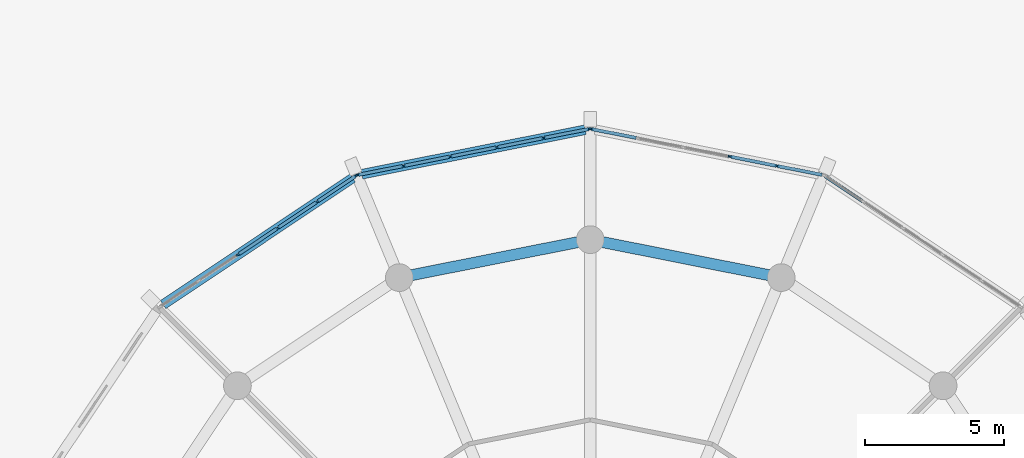
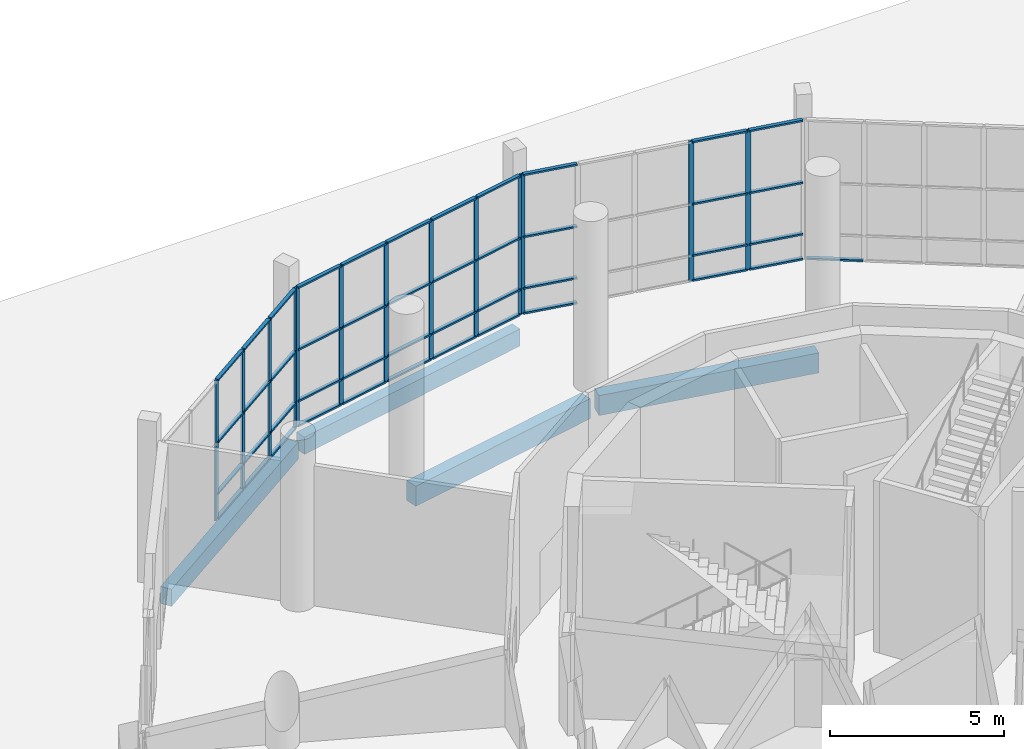
# One storey, part 114 of 226: 58 members, 4 beams, 4 elements without a shape of their own.
"""IFC4 building model written with IfcOpenShell, lengths in metres."""

from ifc_helpers import new_model, si_unit, direction, frame, origin, origin_2d, place, context, subcontext, project, spatial, rectangle, extrude, material, material_profile, profile_set, type_object, element, aggregate, save


model = new_model("IFC4")

# Units and contexts
model_context = context("Model", 3, precision=1e-05, world=origin(), true_north=direction((0.0, 1.0)))
body_context = subcontext(model_context, "Body", "Model", "MODEL_VIEW")
ifc_project = project(units=[si_unit("LENGTHUNIT", "METRE"), si_unit("AREAUNIT", "SQUARE_METRE"), si_unit("VOLUMEUNIT", "CUBIC_METRE"), si_unit("PLANEANGLEUNIT", "RADIAN"), si_unit("MASSUNIT", "GRAM", prefix="KILO")], contexts=[model_context])

# Site, building, storey
site_placement = place(None, origin())
site = spatial("IfcSite", under=ifc_project, at=site_placement, CompositionType="ELEMENT")
building_placement = place(site_placement, origin())
building = spatial("IfcBuilding", under=site, at=building_placement, Name="Ceibo Conservatory and Research Tower", CompositionType="ELEMENT")
storey_placement = place(building_placement, origin())
storey = spatial("IfcBuildingStorey", under=building, at=storey_placement, Name="L00", CompositionType="ELEMENT", Elevation=0.0)

# Curtain wall, members
ifc_material_1 = material(Name="Aluminium and glass", Category="aluminium")
curtain_wall_type = type_object("IfcCurtainWallType", Name="Curtain wall CW1", PredefinedType="NOTDEFINED", material=ifc_material_1)
curtain_wall_1_placement = place(storey_placement, origin())
curtain_wall_1 = element("IfcCurtainWall", 1, at=curtain_wall_1_placement, inside=storey, type_object=curtain_wall_type, Name="CW-00.04", PredefinedType="NOTDEFINED")
ifc_material_2 = material(Name="Aluminium", Category="aluminium")
ifc_material_profile_1 = material_profile(ifc_material_2, rectangle(XDim=0.06005859375, YDim=0.159912109375, at=origin_2d()), Name="Aluminium 60 x 160")
ifc_profile_set_1 = profile_set([ifc_material_profile_1], Name="Aluminium")
member_type_1 = type_object("IfcMemberType", Name="Aluminium mullion 60 x 160", PredefinedType="MULLION", material=ifc_profile_set_1)
member_1_placement = place(storey_placement, frame((54.735107421875, 140.660400390625, 0.0), z_axis=(0.0, 0.0, 1.0), x_axis=(-0.195090279221, -0.980785288916, 0.0)))
member_1 = element("IfcMember", 2, at=member_1_placement, type_object=member_type_1, Name="CW-00.04 mullion 2", PredefinedType="MULLION", context=body_context, shape_type="SweptSolid", body=[
    extrude(rectangle(XDim=0.06005859375, YDim=0.159912109375, at=origin_2d()), origin(), (0.0, 0.0, 1.0), 4.89990234375),
])
member_2_placement = place(storey_placement, frame((53.051513671875, 140.9951171875, 0.0), z_axis=(0.0, 0.0, 1.0), x_axis=(-0.195090279221, -0.980785288916, 0.0)))
member_2 = element("IfcMember", 3, at=member_2_placement, type_object=member_type_1, Name="CW-00.04 mullion 3", PredefinedType="MULLION", context=body_context, shape_type="SweptSolid", body=[
    extrude(rectangle(XDim=0.06005859375, YDim=0.159912109375, at=origin_2d()), origin(), (0.0, 0.0, 1.0), 4.89990234375),
])
member_3_placement = place(storey_placement, frame((48.029541015625, 141.994140625, 0.0), z_axis=(0.0, 0.0, 1.0), x_axis=(-0.195090279221, -0.980785288916, 0.0)))
member_3 = element("IfcMember", 4, at=member_3_placement, type_object=member_type_1, Name="CW-00.04 mullion 6", PredefinedType="MULLION", context=body_context, shape_type="SweptSolid", body=[
    extrude(rectangle(XDim=0.06005859375, YDim=0.159912109375, at=origin_2d()), origin(), (0.0, 0.0, 1.0), 4.89990234375),
])

curtain_wall_2_placement = place(storey_placement, origin())
curtain_wall_2 = element("IfcCurtainWall", 5, at=curtain_wall_2_placement, inside=storey, type_object=curtain_wall_type, Name="CW-00.05", PredefinedType="NOTDEFINED")
member_4_placement = place(storey_placement, frame((47.970458984375, 141.994140625, 0.0), z_axis=(0.0, 0.0, 1.0), x_axis=(0.195090279221, -0.980785288916, 0.0)))
member_4 = element("IfcMember", 6, at=member_4_placement, type_object=member_type_1, Name="CW-00.05 mullion 1", PredefinedType="MULLION", context=body_context, shape_type="SweptSolid", body=[
    extrude(rectangle(XDim=0.06005859375, YDim=0.159912109375, at=origin_2d()), origin(), (0.0, 0.0, 1.0), 4.89990234375),
])
member_5_placement = place(storey_placement, frame((46.316162109375, 141.6650390625, 0.0), z_axis=(0.0, 0.0, 1.0), x_axis=(0.195090279221, -0.980785288916, 0.0)))
member_5 = element("IfcMember", 7, at=member_5_placement, type_object=member_type_1, Name="CW-00.05 mullion 2", PredefinedType="MULLION", context=body_context, shape_type="SweptSolid", body=[
    extrude(rectangle(XDim=0.06005859375, YDim=0.159912109375, at=origin_2d()), origin(), (0.0, 0.0, 1.0), 4.89990234375),
])
member_6_placement = place(storey_placement, frame((44.63232421875, 141.330078125, 0.0), z_axis=(0.0, 0.0, 1.0), x_axis=(0.195090279221, -0.980785288916, 0.0)))
member_6 = element("IfcMember", 8, at=member_6_placement, type_object=member_type_1, Name="CW-00.05 mullion 3", PredefinedType="MULLION", context=body_context, shape_type="SweptSolid", body=[
    extrude(rectangle(XDim=0.06005859375, YDim=0.159912109375, at=origin_2d()), origin(), (0.0, 0.0, 1.0), 4.89990234375),
])
member_7_placement = place(storey_placement, frame((42.948486328125, 140.9951171875, 0.0), z_axis=(0.0, 0.0, 1.0), x_axis=(0.195090279221, -0.980785288916, 0.0)))
member_7 = element("IfcMember", 9, at=member_7_placement, type_object=member_type_1, Name="CW-00.05 mullion 4", PredefinedType="MULLION", context=body_context, shape_type="SweptSolid", body=[
    extrude(rectangle(XDim=0.06005859375, YDim=0.159912109375, at=origin_2d()), origin(), (0.0, 0.0, 1.0), 4.89990234375),
])
member_8_placement = place(storey_placement, frame((41.264892578125, 140.660400390625, 0.0), z_axis=(0.0, 0.0, 1.0), x_axis=(0.195090279221, -0.980785288916, 0.0)))
member_8 = element("IfcMember", 10, at=member_8_placement, type_object=member_type_1, Name="CW-00.05 mullion 5", PredefinedType="MULLION", context=body_context, shape_type="SweptSolid", body=[
    extrude(rectangle(XDim=0.06005859375, YDim=0.159912109375, at=origin_2d()), origin(), (0.0, 0.0, 1.0), 4.89990234375),
])
member_9_placement = place(storey_placement, frame((39.6103515625, 140.331298828125, 0.0), z_axis=(0.0, 0.0, 1.0), x_axis=(0.195090279221, -0.980785288916, 0.0)))
member_9 = element("IfcMember", 11, at=member_9_placement, type_object=member_type_1, Name="CW-00.05 mullion 6", PredefinedType="MULLION", context=body_context, shape_type="SweptSolid", body=[
    extrude(rectangle(XDim=0.06005859375, YDim=0.159912109375, at=origin_2d()), origin(), (0.0, 0.0, 1.0), 4.89990234375),
])

curtain_wall_3_placement = place(storey_placement, origin())
curtain_wall_3 = element("IfcCurtainWall", 12, at=curtain_wall_3_placement, inside=storey, type_object=curtain_wall_type, Name="CW-00.06", PredefinedType="NOTDEFINED")
member_10_placement = place(storey_placement, frame((39.555908203125, 140.30859375, 0.0), z_axis=(0.0, 0.0, 1.0), x_axis=(0.555570307219, -0.831469562724, 0.0)))
member_10 = element("IfcMember", 13, at=member_10_placement, type_object=member_type_1, Name="CW-00.06 mullion 1", PredefinedType="MULLION", context=body_context, shape_type="SweptSolid", body=[
    extrude(rectangle(XDim=0.06005859375, YDim=0.159912109375, at=origin_2d()), origin(), (0.0, 0.0, 1.0), 4.89990234375),
])
member_11_placement = place(storey_placement, frame((38.153564453125, 139.37158203125, 0.0), z_axis=(0.0, 0.0, 1.0), x_axis=(0.555570307219, -0.831469562724, 0.0)))
member_11 = element("IfcMember", 14, at=member_11_placement, type_object=member_type_1, Name="CW-00.06 mullion 2", PredefinedType="MULLION", context=body_context, shape_type="SweptSolid", body=[
    extrude(rectangle(XDim=0.06005859375, YDim=0.159912109375, at=origin_2d()), origin(), (0.0, 0.0, 1.0), 4.89990234375),
])
member_12_placement = place(storey_placement, frame((36.72607421875, 138.417724609375, 0.0), z_axis=(0.0, 0.0, 1.0), x_axis=(0.555570307219, -0.831469562724, 0.0)))
member_12 = element("IfcMember", 15, at=member_12_placement, type_object=member_type_1, Name="CW-00.06 mullion 3", PredefinedType="MULLION", context=body_context, shape_type="SweptSolid", body=[
    extrude(rectangle(XDim=0.06005859375, YDim=0.159912109375, at=origin_2d()), origin(), (0.0, 0.0, 1.0), 4.89990234375),
])
member_13_placement = place(storey_placement, frame((35.298583984375, 137.4638671875, 0.0), z_axis=(0.0, 0.0, 1.0), x_axis=(0.555570307219, -0.831469562724, 0.0)))
member_13 = element("IfcMember", 16, at=member_13_placement, type_object=member_type_1, Name="CW-00.06 mullion 4", PredefinedType="MULLION", context=body_context, shape_type="SweptSolid", body=[
    extrude(rectangle(XDim=0.06005859375, YDim=0.159912109375, at=origin_2d()), origin(), (0.0, 0.0, 1.0), 4.89990234375),
])

# Curtain wall, member
curtain_wall_4_placement = place(storey_placement, origin())
curtain_wall_4 = element("IfcCurtainWall", 17, at=curtain_wall_4_placement, inside=storey, type_object=curtain_wall_type, Name="CW-00.03", PredefinedType="NOTDEFINED")
ifc_material_profile_2 = material_profile(ifc_material_2, rectangle(XDim=0.1201171875, YDim=0.06005859375, at=origin_2d()), Name="Aluminium 60 x 120")
ifc_profile_set_2 = profile_set([ifc_material_profile_2], Name="Aluminium")
member_type_2 = type_object("IfcMemberType", Name="Aluminium transom 60 x 120", PredefinedType="USERDEFINED", material=ifc_profile_set_2)
member_14_placement = place(storey_placement, frame((57.821533203125, 139.38818359375, 0.030029296875), z_axis=(-0.831449482525, 0.555600358179, 0.0), x_axis=(-0.555600358179, -0.831449482525, 0.0)))
member_14 = element("IfcMember", 18, at=member_14_placement, type_object=member_type_2, Name="CW-00.03 transom 5.1", ObjectType="TRANSOM", PredefinedType="USERDEFINED", context=body_context, shape_type="SweptSolid", body=[
    extrude(rectangle(XDim=0.1201171875, YDim=0.06005859375, at=origin_2d()), origin(), (0.0, 0.0, 1.0), 1.626708984375),
])
aggregate(curtain_wall_4, [member_14])

# Member
member_15_placement = place(storey_placement, frame((56.360107421875, 140.337158203125, 0.030029296875), z_axis=(-0.980782188074, 0.195105867559, 0.0), x_axis=(-0.195105867559, -0.980782188074, 0.0)))
member_15 = element("IfcMember", 19, at=member_15_placement, type_object=member_type_2, Name="CW-00.04 transom 1.1", ObjectType="TRANSOM", PredefinedType="USERDEFINED", context=body_context, shape_type="SweptSolid", body=[
    extrude(rectangle(XDim=0.1201171875, YDim=0.06005859375, at=origin_2d()), origin(), (0.0, 0.0, 1.0), 1.626708984375),
])

member_16_placement = place(storey_placement, frame((56.360107421875, 140.337158203125, 0.89990234375), z_axis=(-0.980782188074, 0.195105867559, 0.0), x_axis=(-0.195105867559, -0.980782188074, 0.0)))
member_16 = element("IfcMember", 20, at=member_16_placement, type_object=member_type_2, Name="CW-00.04 transom 1.2", ObjectType="TRANSOM", PredefinedType="USERDEFINED", context=body_context, shape_type="SweptSolid", body=[
    extrude(rectangle(XDim=0.1201171875, YDim=0.06005859375, at=origin_2d()), origin(), (0.0, 0.0, 1.0), 1.626708984375),
])

member_17_placement = place(storey_placement, frame((56.360107421875, 140.337158203125, 2.699951171875), z_axis=(-0.980782188074, 0.195105867559, 0.0), x_axis=(-0.195105867559, -0.980782188074, 0.0)))
member_17 = element("IfcMember", 21, at=member_17_placement, type_object=member_type_2, Name="CW-00.04 transom 1.3", ObjectType="TRANSOM", PredefinedType="USERDEFINED", context=body_context, shape_type="SweptSolid", body=[
    extrude(rectangle(XDim=0.1201171875, YDim=0.06005859375, at=origin_2d()), origin(), (0.0, 0.0, 1.0), 1.626708984375),
])

member_18_placement = place(storey_placement, frame((56.360107421875, 140.337158203125, 4.8701171875), z_axis=(-0.980782188074, 0.195105867559, 0.0), x_axis=(-0.195105867559, -0.980782188074, 0.0)))
member_18 = element("IfcMember", 22, at=member_18_placement, type_object=member_type_2, Name="CW-00.04 transom 1.4", ObjectType="TRANSOM", PredefinedType="USERDEFINED", context=body_context, shape_type="SweptSolid", body=[
    extrude(rectangle(XDim=0.1201171875, YDim=0.06005859375, at=origin_2d()), origin(), (0.0, 0.0, 1.0), 1.626708984375),
])

member_19_placement = place(storey_placement, frame((54.705810546875, 140.666015625, 0.030029296875), z_axis=(-0.980784172817, 0.195095890146, 0.0), x_axis=(-0.195095890146, -0.980784172817, 0.0)))
member_19 = element("IfcMember", 23, at=member_19_placement, type_object=member_type_2, Name="CW-00.04 transom 2.1", ObjectType="TRANSOM", PredefinedType="USERDEFINED", context=body_context, shape_type="SweptSolid", body=[
    extrude(rectangle(XDim=0.1201171875, YDim=0.06005859375, at=origin_2d()), origin(), (0.0, 0.0, 1.0), 1.65673828125),
])

member_20_placement = place(storey_placement, frame((54.705810546875, 140.666015625, 0.89990234375), z_axis=(-0.980784172817, 0.195095890146, 0.0), x_axis=(-0.195095890146, -0.980784172817, 0.0)))
member_20 = element("IfcMember", 24, at=member_20_placement, type_object=member_type_2, Name="CW-00.04 transom 2.2", ObjectType="TRANSOM", PredefinedType="USERDEFINED", context=body_context, shape_type="SweptSolid", body=[
    extrude(rectangle(XDim=0.1201171875, YDim=0.06005859375, at=origin_2d()), origin(), (0.0, 0.0, 1.0), 1.65673828125),
])

member_21_placement = place(storey_placement, frame((54.705810546875, 140.666015625, 2.699951171875), z_axis=(-0.980784172817, 0.195095890146, 0.0), x_axis=(-0.195095890146, -0.980784172817, 0.0)))
member_21 = element("IfcMember", 25, at=member_21_placement, type_object=member_type_2, Name="CW-00.04 transom 2.3", ObjectType="TRANSOM", PredefinedType="USERDEFINED", context=body_context, shape_type="SweptSolid", body=[
    extrude(rectangle(XDim=0.1201171875, YDim=0.06005859375, at=origin_2d()), origin(), (0.0, 0.0, 1.0), 1.65673828125),
])

member_22_placement = place(storey_placement, frame((54.705810546875, 140.666015625, 4.8701171875), z_axis=(-0.980784172817, 0.195095890146, 0.0), x_axis=(-0.195095890146, -0.980784172817, 0.0)))
member_22 = element("IfcMember", 26, at=member_22_placement, type_object=member_type_2, Name="CW-00.04 transom 2.4", ObjectType="TRANSOM", PredefinedType="USERDEFINED", context=body_context, shape_type="SweptSolid", body=[
    extrude(rectangle(XDim=0.1201171875, YDim=0.06005859375, at=origin_2d()), origin(), (0.0, 0.0, 1.0), 1.65673828125),
])

member_23_placement = place(storey_placement, frame((49.654296875, 141.6708984375, 0.030029296875), z_axis=(-0.980782188074, 0.195105867559, 0.0), x_axis=(-0.195105867559, -0.980782188074, 0.0)))
member_23 = element("IfcMember", 27, at=member_23_placement, type_object=member_type_2, Name="CW-00.04 transom 5.1", ObjectType="TRANSOM", PredefinedType="USERDEFINED", context=body_context, shape_type="SweptSolid", body=[
    extrude(rectangle(XDim=0.1201171875, YDim=0.06005859375, at=origin_2d()), origin(), (0.0, 0.0, 1.0), 1.626708984375),
])

member_24_placement = place(storey_placement, frame((49.654296875, 141.6708984375, 0.89990234375), z_axis=(-0.980782188074, 0.195105867559, 0.0), x_axis=(-0.195105867559, -0.980782188074, 0.0)))
member_24 = element("IfcMember", 28, at=member_24_placement, type_object=member_type_2, Name="CW-00.04 transom 5.2", ObjectType="TRANSOM", PredefinedType="USERDEFINED", context=body_context, shape_type="SweptSolid", body=[
    extrude(rectangle(XDim=0.1201171875, YDim=0.06005859375, at=origin_2d()), origin(), (0.0, 0.0, 1.0), 1.626708984375),
])

member_25_placement = place(storey_placement, frame((49.654296875, 141.6708984375, 2.699951171875), z_axis=(-0.980782188074, 0.195105867559, 0.0), x_axis=(-0.195105867559, -0.980782188074, 0.0)))
member_25 = element("IfcMember", 29, at=member_25_placement, type_object=member_type_2, Name="CW-00.04 transom 5.3", ObjectType="TRANSOM", PredefinedType="USERDEFINED", context=body_context, shape_type="SweptSolid", body=[
    extrude(rectangle(XDim=0.1201171875, YDim=0.06005859375, at=origin_2d()), origin(), (0.0, 0.0, 1.0), 1.626708984375),
])

member_26_placement = place(storey_placement, frame((49.654296875, 141.6708984375, 4.8701171875), z_axis=(-0.980782188074, 0.195105867559, 0.0), x_axis=(-0.195105867559, -0.980782188074, 0.0)))
member_26 = element("IfcMember", 30, at=member_26_placement, type_object=member_type_2, Name="CW-00.04 transom 5.4", ObjectType="TRANSOM", PredefinedType="USERDEFINED", context=body_context, shape_type="SweptSolid", body=[
    extrude(rectangle(XDim=0.1201171875, YDim=0.06005859375, at=origin_2d()), origin(), (0.0, 0.0, 1.0), 1.626708984375),
])

aggregate(curtain_wall_1, [member_1, member_2, member_3, member_15, member_16, member_17, member_18, member_19, member_20, member_21, member_22, member_23, member_24, member_25, member_26])

member_27_placement = place(storey_placement, frame((47.941162109375, 141.98828125, 0.030029296875), z_axis=(-0.980782188074, -0.195105867559, 0.0), x_axis=(0.195105867559, -0.980782188074, 0.0)))
member_27 = element("IfcMember", 31, at=member_27_placement, type_object=member_type_2, Name="CW-00.05 transom 1.1", ObjectType="TRANSOM", PredefinedType="USERDEFINED", context=body_context, shape_type="SweptSolid", body=[
    extrude(rectangle(XDim=0.1201171875, YDim=0.06005859375, at=origin_2d()), origin(), (0.0, 0.0, 1.0), 1.626708984375),
])

member_28_placement = place(storey_placement, frame((47.941162109375, 141.98828125, 0.89990234375), z_axis=(-0.980782188074, -0.195105867559, 0.0), x_axis=(0.195105867559, -0.980782188074, 0.0)))
member_28 = element("IfcMember", 32, at=member_28_placement, type_object=member_type_2, Name="CW-00.05 transom 1.2", ObjectType="TRANSOM", PredefinedType="USERDEFINED", context=body_context, shape_type="SweptSolid", body=[
    extrude(rectangle(XDim=0.1201171875, YDim=0.06005859375, at=origin_2d()), origin(), (0.0, 0.0, 1.0), 1.626708984375),
])

member_29_placement = place(storey_placement, frame((47.941162109375, 141.98828125, 2.699951171875), z_axis=(-0.980782188074, -0.195105867559, 0.0), x_axis=(0.195105867559, -0.980782188074, 0.0)))
member_29 = element("IfcMember", 33, at=member_29_placement, type_object=member_type_2, Name="CW-00.05 transom 1.3", ObjectType="TRANSOM", PredefinedType="USERDEFINED", context=body_context, shape_type="SweptSolid", body=[
    extrude(rectangle(XDim=0.1201171875, YDim=0.06005859375, at=origin_2d()), origin(), (0.0, 0.0, 1.0), 1.626708984375),
])

member_30_placement = place(storey_placement, frame((47.941162109375, 141.98828125, 4.8701171875), z_axis=(-0.980782188074, -0.195105867559, 0.0), x_axis=(0.195105867559, -0.980782188074, 0.0)))
member_30 = element("IfcMember", 34, at=member_30_placement, type_object=member_type_2, Name="CW-00.05 transom 1.4", ObjectType="TRANSOM", PredefinedType="USERDEFINED", context=body_context, shape_type="SweptSolid", body=[
    extrude(rectangle(XDim=0.1201171875, YDim=0.06005859375, at=origin_2d()), origin(), (0.0, 0.0, 1.0), 1.626708984375),
])

member_31_placement = place(storey_placement, frame((46.286865234375, 141.6591796875, 0.030029296875), z_axis=(-0.980784172817, -0.195095890146, 0.0), x_axis=(0.195095890146, -0.980784172817, 0.0)))
member_31 = element("IfcMember", 35, at=member_31_placement, type_object=member_type_2, Name="CW-00.05 transom 2.1", ObjectType="TRANSOM", PredefinedType="USERDEFINED", context=body_context, shape_type="SweptSolid", body=[
    extrude(rectangle(XDim=0.1201171875, YDim=0.06005859375, at=origin_2d()), origin(), (0.0, 0.0, 1.0), 1.65673828125),
])

member_32_placement = place(storey_placement, frame((46.286865234375, 141.6591796875, 0.89990234375), z_axis=(-0.980784172817, -0.195095890146, 0.0), x_axis=(0.195095890146, -0.980784172817, 0.0)))
member_32 = element("IfcMember", 36, at=member_32_placement, type_object=member_type_2, Name="CW-00.05 transom 2.2", ObjectType="TRANSOM", PredefinedType="USERDEFINED", context=body_context, shape_type="SweptSolid", body=[
    extrude(rectangle(XDim=0.1201171875, YDim=0.06005859375, at=origin_2d()), origin(), (0.0, 0.0, 1.0), 1.65673828125),
])

member_33_placement = place(storey_placement, frame((46.286865234375, 141.6591796875, 2.699951171875), z_axis=(-0.980784172817, -0.195095890146, 0.0), x_axis=(0.195095890146, -0.980784172817, 0.0)))
member_33 = element("IfcMember", 37, at=member_33_placement, type_object=member_type_2, Name="CW-00.05 transom 2.3", ObjectType="TRANSOM", PredefinedType="USERDEFINED", context=body_context, shape_type="SweptSolid", body=[
    extrude(rectangle(XDim=0.1201171875, YDim=0.06005859375, at=origin_2d()), origin(), (0.0, 0.0, 1.0), 1.65673828125),
])

member_34_placement = place(storey_placement, frame((46.286865234375, 141.6591796875, 4.8701171875), z_axis=(-0.980784172817, -0.195095890146, 0.0), x_axis=(0.195095890146, -0.980784172817, 0.0)))
member_34 = element("IfcMember", 38, at=member_34_placement, type_object=member_type_2, Name="CW-00.05 transom 2.4", ObjectType="TRANSOM", PredefinedType="USERDEFINED", context=body_context, shape_type="SweptSolid", body=[
    extrude(rectangle(XDim=0.1201171875, YDim=0.06005859375, at=origin_2d()), origin(), (0.0, 0.0, 1.0), 1.65673828125),
])

member_35_placement = place(storey_placement, frame((44.60302734375, 141.32421875, 0.030029296875), z_axis=(-0.980784172817, -0.195095890146, 0.0), x_axis=(0.195095890146, -0.980784172817, 0.0)))
member_35 = element("IfcMember", 39, at=member_35_placement, type_object=member_type_2, Name="CW-00.05 transom 3.1", ObjectType="TRANSOM", PredefinedType="USERDEFINED", context=body_context, shape_type="SweptSolid", body=[
    extrude(rectangle(XDim=0.1201171875, YDim=0.06005859375, at=origin_2d()), origin(), (0.0, 0.0, 1.0), 1.65673828125),
])

member_36_placement = place(storey_placement, frame((44.60302734375, 141.32421875, 0.89990234375), z_axis=(-0.980784172817, -0.195095890146, 0.0), x_axis=(0.195095890146, -0.980784172817, 0.0)))
member_36 = element("IfcMember", 40, at=member_36_placement, type_object=member_type_2, Name="CW-00.05 transom 3.2", ObjectType="TRANSOM", PredefinedType="USERDEFINED", context=body_context, shape_type="SweptSolid", body=[
    extrude(rectangle(XDim=0.1201171875, YDim=0.06005859375, at=origin_2d()), origin(), (0.0, 0.0, 1.0), 1.65673828125),
])

member_37_placement = place(storey_placement, frame((44.60302734375, 141.32421875, 2.699951171875), z_axis=(-0.980784172817, -0.195095890146, 0.0), x_axis=(0.195095890146, -0.980784172817, 0.0)))
member_37 = element("IfcMember", 41, at=member_37_placement, type_object=member_type_2, Name="CW-00.05 transom 3.3", ObjectType="TRANSOM", PredefinedType="USERDEFINED", context=body_context, shape_type="SweptSolid", body=[
    extrude(rectangle(XDim=0.1201171875, YDim=0.06005859375, at=origin_2d()), origin(), (0.0, 0.0, 1.0), 1.65673828125),
])

member_38_placement = place(storey_placement, frame((44.60302734375, 141.32421875, 4.8701171875), z_axis=(-0.980784172817, -0.195095890146, 0.0), x_axis=(0.195095890146, -0.980784172817, 0.0)))
member_38 = element("IfcMember", 42, at=member_38_placement, type_object=member_type_2, Name="CW-00.05 transom 3.4", ObjectType="TRANSOM", PredefinedType="USERDEFINED", context=body_context, shape_type="SweptSolid", body=[
    extrude(rectangle(XDim=0.1201171875, YDim=0.06005859375, at=origin_2d()), origin(), (0.0, 0.0, 1.0), 1.65673828125),
])

member_39_placement = place(storey_placement, frame((42.919189453125, 140.9892578125, 0.030029296875), z_axis=(-0.980784172817, -0.195095890146, 0.0), x_axis=(0.195095890146, -0.980784172817, 0.0)))
member_39 = element("IfcMember", 43, at=member_39_placement, type_object=member_type_2, Name="CW-00.05 transom 4.1", ObjectType="TRANSOM", PredefinedType="USERDEFINED", context=body_context, shape_type="SweptSolid", body=[
    extrude(rectangle(XDim=0.1201171875, YDim=0.06005859375, at=origin_2d()), origin(), (0.0, 0.0, 1.0), 1.65673828125),
])

member_40_placement = place(storey_placement, frame((42.919189453125, 140.9892578125, 0.89990234375), z_axis=(-0.980784172817, -0.195095890146, 0.0), x_axis=(0.195095890146, -0.980784172817, 0.0)))
member_40 = element("IfcMember", 44, at=member_40_placement, type_object=member_type_2, Name="CW-00.05 transom 4.2", ObjectType="TRANSOM", PredefinedType="USERDEFINED", context=body_context, shape_type="SweptSolid", body=[
    extrude(rectangle(XDim=0.1201171875, YDim=0.06005859375, at=origin_2d()), origin(), (0.0, 0.0, 1.0), 1.65673828125),
])

member_41_placement = place(storey_placement, frame((42.919189453125, 140.9892578125, 2.699951171875), z_axis=(-0.980784172817, -0.195095890146, 0.0), x_axis=(0.195095890146, -0.980784172817, 0.0)))
member_41 = element("IfcMember", 45, at=member_41_placement, type_object=member_type_2, Name="CW-00.05 transom 4.3", ObjectType="TRANSOM", PredefinedType="USERDEFINED", context=body_context, shape_type="SweptSolid", body=[
    extrude(rectangle(XDim=0.1201171875, YDim=0.06005859375, at=origin_2d()), origin(), (0.0, 0.0, 1.0), 1.65673828125),
])

member_42_placement = place(storey_placement, frame((42.919189453125, 140.9892578125, 4.8701171875), z_axis=(-0.980784172817, -0.195095890146, 0.0), x_axis=(0.195095890146, -0.980784172817, 0.0)))
member_42 = element("IfcMember", 46, at=member_42_placement, type_object=member_type_2, Name="CW-00.05 transom 4.4", ObjectType="TRANSOM", PredefinedType="USERDEFINED", context=body_context, shape_type="SweptSolid", body=[
    extrude(rectangle(XDim=0.1201171875, YDim=0.06005859375, at=origin_2d()), origin(), (0.0, 0.0, 1.0), 1.65673828125),
])

member_43_placement = place(storey_placement, frame((41.2353515625, 140.654541015625, 0.030029296875), z_axis=(-0.980782188074, -0.195105867559, 0.0), x_axis=(0.195105867559, -0.980782188074, 0.0)))
member_43 = element("IfcMember", 47, at=member_43_placement, type_object=member_type_2, Name="CW-00.05 transom 5.1", ObjectType="TRANSOM", PredefinedType="USERDEFINED", context=body_context, shape_type="SweptSolid", body=[
    extrude(rectangle(XDim=0.1201171875, YDim=0.06005859375, at=origin_2d()), origin(), (0.0, 0.0, 1.0), 1.626708984375),
])

member_44_placement = place(storey_placement, frame((41.2353515625, 140.654541015625, 0.89990234375), z_axis=(-0.980782188074, -0.195105867559, 0.0), x_axis=(0.195105867559, -0.980782188074, 0.0)))
member_44 = element("IfcMember", 48, at=member_44_placement, type_object=member_type_2, Name="CW-00.05 transom 5.2", ObjectType="TRANSOM", PredefinedType="USERDEFINED", context=body_context, shape_type="SweptSolid", body=[
    extrude(rectangle(XDim=0.1201171875, YDim=0.06005859375, at=origin_2d()), origin(), (0.0, 0.0, 1.0), 1.626708984375),
])

member_45_placement = place(storey_placement, frame((41.2353515625, 140.654541015625, 2.699951171875), z_axis=(-0.980782188074, -0.195105867559, 0.0), x_axis=(0.195105867559, -0.980782188074, 0.0)))
member_45 = element("IfcMember", 49, at=member_45_placement, type_object=member_type_2, Name="CW-00.05 transom 5.3", ObjectType="TRANSOM", PredefinedType="USERDEFINED", context=body_context, shape_type="SweptSolid", body=[
    extrude(rectangle(XDim=0.1201171875, YDim=0.06005859375, at=origin_2d()), origin(), (0.0, 0.0, 1.0), 1.626708984375),
])

member_46_placement = place(storey_placement, frame((41.2353515625, 140.654541015625, 4.8701171875), z_axis=(-0.980782188074, -0.195105867559, 0.0), x_axis=(0.195105867559, -0.980782188074, 0.0)))
member_46 = element("IfcMember", 50, at=member_46_placement, type_object=member_type_2, Name="CW-00.05 transom 5.4", ObjectType="TRANSOM", PredefinedType="USERDEFINED", context=body_context, shape_type="SweptSolid", body=[
    extrude(rectangle(XDim=0.1201171875, YDim=0.06005859375, at=origin_2d()), origin(), (0.0, 0.0, 1.0), 1.626708984375),
])

aggregate(curtain_wall_2, [member_4, member_5, member_6, member_7, member_8, member_9, member_27, member_28, member_29, member_30, member_31, member_32, member_33, member_34, member_35, member_36, member_37, member_38, member_39, member_40, member_41, member_42, member_43, member_44, member_45, member_46])

member_47_placement = place(storey_placement, frame((39.531005859375, 140.2919921875, 0.030029296875), z_axis=(-0.831449482525, -0.555600358179, 0.0), x_axis=(0.555600358179, -0.831449482525, 0.0)))
member_47 = element("IfcMember", 51, at=member_47_placement, type_object=member_type_2, Name="CW-00.06 transom 1.1", ObjectType="TRANSOM", PredefinedType="USERDEFINED", context=body_context, shape_type="SweptSolid", body=[
    extrude(rectangle(XDim=0.1201171875, YDim=0.06005859375, at=origin_2d()), origin(), (0.0, 0.0, 1.0), 1.626708984375),
])

member_48_placement = place(storey_placement, frame((39.531005859375, 140.2919921875, 0.89990234375), z_axis=(-0.831449482525, -0.555600358179, 0.0), x_axis=(0.555600358179, -0.831449482525, 0.0)))
member_48 = element("IfcMember", 52, at=member_48_placement, type_object=member_type_2, Name="CW-00.06 transom 1.2", ObjectType="TRANSOM", PredefinedType="USERDEFINED", context=body_context, shape_type="SweptSolid", body=[
    extrude(rectangle(XDim=0.1201171875, YDim=0.06005859375, at=origin_2d()), origin(), (0.0, 0.0, 1.0), 1.626708984375),
])

member_49_placement = place(storey_placement, frame((39.531005859375, 140.2919921875, 2.699951171875), z_axis=(-0.831449482525, -0.555600358179, 0.0), x_axis=(0.555600358179, -0.831449482525, 0.0)))
member_49 = element("IfcMember", 53, at=member_49_placement, type_object=member_type_2, Name="CW-00.06 transom 1.3", ObjectType="TRANSOM", PredefinedType="USERDEFINED", context=body_context, shape_type="SweptSolid", body=[
    extrude(rectangle(XDim=0.1201171875, YDim=0.06005859375, at=origin_2d()), origin(), (0.0, 0.0, 1.0), 1.626708984375),
])

member_50_placement = place(storey_placement, frame((39.531005859375, 140.2919921875, 4.8701171875), z_axis=(-0.831449482525, -0.555600358179, 0.0), x_axis=(0.555600358179, -0.831449482525, 0.0)))
member_50 = element("IfcMember", 54, at=member_50_placement, type_object=member_type_2, Name="CW-00.06 transom 1.4", ObjectType="TRANSOM", PredefinedType="USERDEFINED", context=body_context, shape_type="SweptSolid", body=[
    extrude(rectangle(XDim=0.1201171875, YDim=0.06005859375, at=origin_2d()), origin(), (0.0, 0.0, 1.0), 1.626708984375),
])

member_51_placement = place(storey_placement, frame((38.128662109375, 139.35498046875, 0.030029296875), z_axis=(-0.831437761556, -0.555617898073, 0.0), x_axis=(0.555617898073, -0.831437761556, 0.0)))
member_51 = element("IfcMember", 55, at=member_51_placement, type_object=member_type_2, Name="CW-00.06 transom 2.1", ObjectType="TRANSOM", PredefinedType="USERDEFINED", context=body_context, shape_type="SweptSolid", body=[
    extrude(rectangle(XDim=0.1201171875, YDim=0.06005859375, at=origin_2d()), origin(), (0.0, 0.0, 1.0), 1.656982421875),
])

member_52_placement = place(storey_placement, frame((38.128662109375, 139.35498046875, 0.89990234375), z_axis=(-0.831437761556, -0.555617898073, 0.0), x_axis=(0.555617898073, -0.831437761556, 0.0)))
member_52 = element("IfcMember", 56, at=member_52_placement, type_object=member_type_2, Name="CW-00.06 transom 2.2", ObjectType="TRANSOM", PredefinedType="USERDEFINED", context=body_context, shape_type="SweptSolid", body=[
    extrude(rectangle(XDim=0.1201171875, YDim=0.06005859375, at=origin_2d()), origin(), (0.0, 0.0, 1.0), 1.656982421875),
])

member_53_placement = place(storey_placement, frame((38.128662109375, 139.35498046875, 2.699951171875), z_axis=(-0.831437761556, -0.555617898073, 0.0), x_axis=(0.555617898073, -0.831437761556, 0.0)))
member_53 = element("IfcMember", 57, at=member_53_placement, type_object=member_type_2, Name="CW-00.06 transom 2.3", ObjectType="TRANSOM", PredefinedType="USERDEFINED", context=body_context, shape_type="SweptSolid", body=[
    extrude(rectangle(XDim=0.1201171875, YDim=0.06005859375, at=origin_2d()), origin(), (0.0, 0.0, 1.0), 1.656982421875),
])

member_54_placement = place(storey_placement, frame((38.128662109375, 139.35498046875, 4.8701171875), z_axis=(-0.831437761556, -0.555617898073, 0.0), x_axis=(0.555617898073, -0.831437761556, 0.0)))
member_54 = element("IfcMember", 58, at=member_54_placement, type_object=member_type_2, Name="CW-00.06 transom 2.4", ObjectType="TRANSOM", PredefinedType="USERDEFINED", context=body_context, shape_type="SweptSolid", body=[
    extrude(rectangle(XDim=0.1201171875, YDim=0.06005859375, at=origin_2d()), origin(), (0.0, 0.0, 1.0), 1.656982421875),
])

member_55_placement = place(storey_placement, frame((36.701171875, 138.401123046875, 0.030029296875), z_axis=(-0.831505826173, -0.555516031308, 0.0), x_axis=(0.555516031308, -0.831505826173, 0.0)))
member_55 = element("IfcMember", 59, at=member_55_placement, type_object=member_type_2, Name="CW-00.06 transom 3.1", ObjectType="TRANSOM", PredefinedType="USERDEFINED", context=body_context, shape_type="SweptSolid", body=[
    extrude(rectangle(XDim=0.1201171875, YDim=0.06005859375, at=origin_2d()), origin(), (0.0, 0.0, 1.0), 1.65673828125),
])

member_56_placement = place(storey_placement, frame((36.701171875, 138.401123046875, 0.89990234375), z_axis=(-0.831505826173, -0.555516031308, 0.0), x_axis=(0.555516031308, -0.831505826173, 0.0)))
member_56 = element("IfcMember", 60, at=member_56_placement, type_object=member_type_2, Name="CW-00.06 transom 3.2", ObjectType="TRANSOM", PredefinedType="USERDEFINED", context=body_context, shape_type="SweptSolid", body=[
    extrude(rectangle(XDim=0.1201171875, YDim=0.06005859375, at=origin_2d()), origin(), (0.0, 0.0, 1.0), 1.65673828125),
])

member_57_placement = place(storey_placement, frame((36.701171875, 138.401123046875, 2.699951171875), z_axis=(-0.831505826173, -0.555516031308, 0.0), x_axis=(0.555516031308, -0.831505826173, 0.0)))
member_57 = element("IfcMember", 61, at=member_57_placement, type_object=member_type_2, Name="CW-00.06 transom 3.3", ObjectType="TRANSOM", PredefinedType="USERDEFINED", context=body_context, shape_type="SweptSolid", body=[
    extrude(rectangle(XDim=0.1201171875, YDim=0.06005859375, at=origin_2d()), origin(), (0.0, 0.0, 1.0), 1.65673828125),
])

member_58_placement = place(storey_placement, frame((36.701171875, 138.401123046875, 4.8701171875), z_axis=(-0.831505826173, -0.555516031308, 0.0), x_axis=(0.555516031308, -0.831505826173, 0.0)))
member_58 = element("IfcMember", 62, at=member_58_placement, type_object=member_type_2, Name="CW-00.06 transom 3.4", ObjectType="TRANSOM", PredefinedType="USERDEFINED", context=body_context, shape_type="SweptSolid", body=[
    extrude(rectangle(XDim=0.1201171875, YDim=0.06005859375, at=origin_2d()), origin(), (0.0, 0.0, 1.0), 1.65673828125),
])

aggregate(curtain_wall_3, [member_10, member_11, member_12, member_13, member_47, member_48, member_49, member_50, member_51, member_52, member_53, member_54, member_55, member_56, member_57, member_58])

# Beams
ifc_material_3 = material(Name="Concrete C35/45", Category="concrete")
ifc_material_profile_3 = material_profile(ifc_material_3, rectangle(XDim=0.35009765625, YDim=0.60009765625, at=origin_2d()), Name="RC 350x600")
ifc_profile_set_3 = profile_set([ifc_material_profile_3], Name="Concrete C35/45")
beam_type_1 = type_object("IfcBeamType", Name="RC beam 350x600 C35", PredefinedType="BEAM", material=ifc_profile_set_3)
beam_1_placement = place(storey_placement, frame((47.819580078125, 141.964111328125, -0.64990234375), z_axis=(-0.980788126016, -0.195076015612, 0.0), x_axis=(0.195076015612, -0.980788126016, 0.0)))
element("IfcBeam", 63, at=beam_1_placement, inside=storey, type_object=beam_type_1, Name="Edge beam 05 L00", PredefinedType="BEAM", context=body_context, shape_type="SweptSolid", body=[
    extrude(rectangle(XDim=0.35009765625, YDim=0.60009765625, at=origin_2d()), origin(), (0.0, 0.0, 1.0), 8.21630859375),
])
beam_2_placement = place(storey_placement, frame((39.427978515625, 140.22314453125, -0.64990234375), z_axis=(-0.831460092327, -0.555584480406, 0.0), x_axis=(0.555584480406, -0.831460092327, 0.0)))
element("IfcBeam", 64, at=beam_2_placement, inside=storey, type_object=beam_type_1, Name="Edge beam 06 L00", PredefinedType="BEAM", context=body_context, shape_type="SweptSolid", body=[
    extrude(rectangle(XDim=0.35009765625, YDim=0.60009765625, at=origin_2d()), origin(), (0.0, 0.0, 1.0), 8.216064453125),
])
ifc_material_profile_4 = material_profile(ifc_material_3, rectangle(XDim=0.39990234375, YDim=0.699951171875, at=origin_2d()), Name="RC 400x700")
ifc_profile_set_4 = profile_set([ifc_material_profile_4], Name="Concrete C35/45")
beam_type_2 = type_object("IfcBeamType", Name="RC beam 400x700 C35", PredefinedType="BEAM", material=ifc_profile_set_4)
for number, where, z_axis, x_axis, name in (
    (65, (54.7080078125, 136.665771484375, -0.699951171875), (-0.980787526167, 0.19507903146, 0.0), (-0.19507903146, -0.980787526167, 0.0), "Ring beam 04 L00"),
    (66, (47.819580078125, 137.964111328125, -0.699951171875), (-0.980787526167, -0.19507903146, 0.0), (0.19507903146, -0.980787526167, 0.0), "Ring beam 05 L00"),
):
    element("IfcBeam", number, at=place(storey_placement, frame(where, z_axis=z_axis, x_axis=x_axis)), inside=storey, type_object=beam_type_2, Name=name, PredefinedType="BEAM", context=body_context, shape_type="SweptSolid", body=[
        extrude(rectangle(XDim=0.39990234375, YDim=0.699951171875, at=origin_2d()), origin(), (0.0, 0.0, 1.0), 6.655517578125),
    ])

save(model, "model.ifc")
